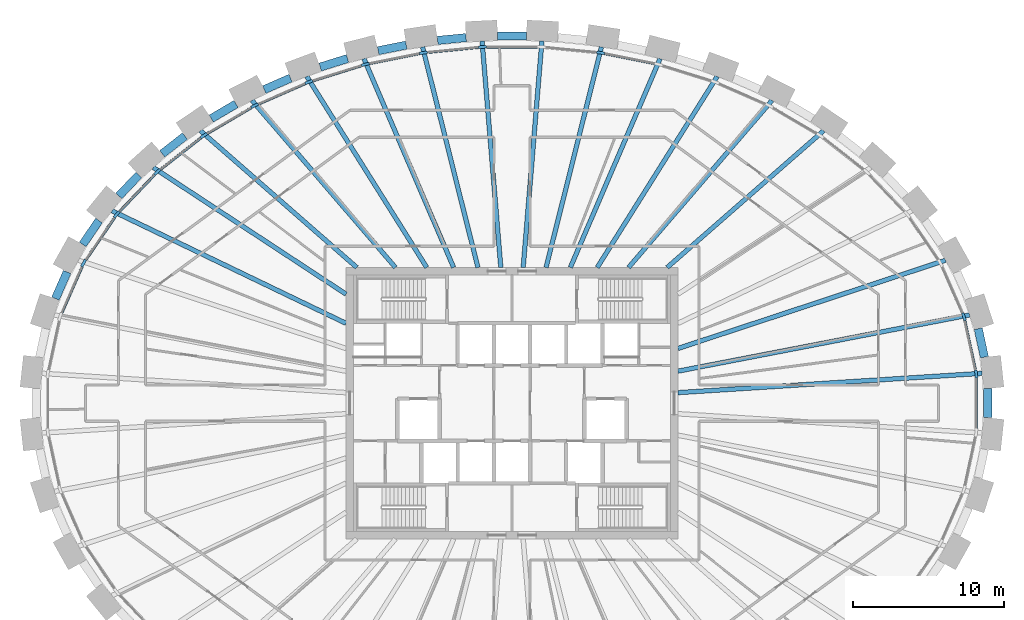
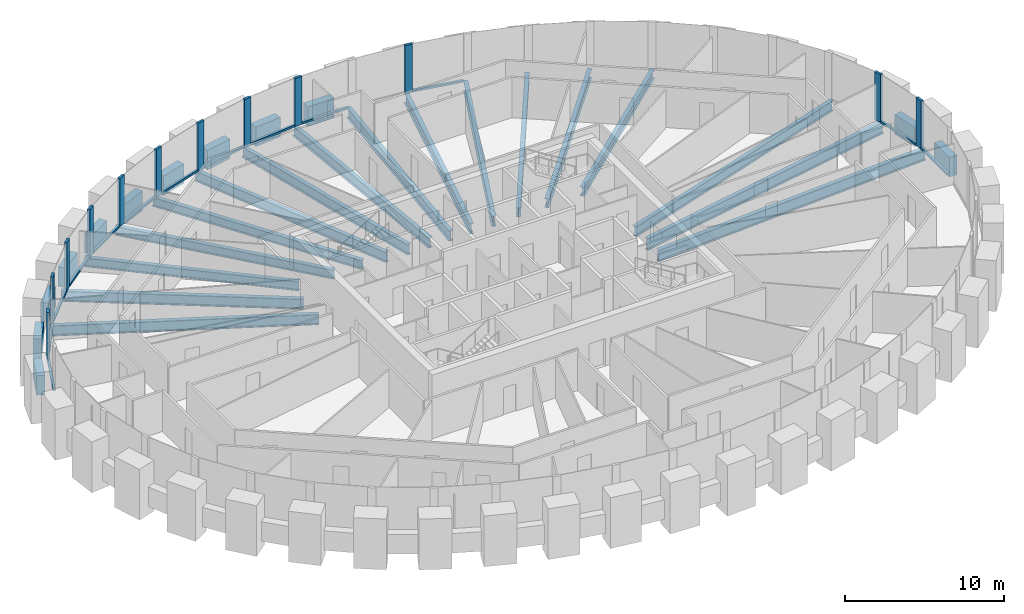
# One storey, part 3 of 12: 29 beams, 25 members, 1 element without a shape of its own.
"""IFC4 building model written with IfcOpenShell, lengths in metres."""

from ifc_helpers import new_model, si_unit, direction, frame, origin, origin_2d, place, context, subcontext, project, spatial, rectangle, i_section, extrude, source, transform, mapped, material, material_profile, profile_set, type_object, element, aggregate, save


model = new_model("IFC4")

# Units and contexts
model_context = context("Model", 3, precision=1e-05, world=origin(), true_north=direction((0.0, 1.0)))
body_context = subcontext(model_context, "Body", "Model", "MODEL_VIEW")
ifc_project = project(units=[si_unit("LENGTHUNIT", "METRE"), si_unit("AREAUNIT", "SQUARE_METRE"), si_unit("VOLUMEUNIT", "CUBIC_METRE"), si_unit("PLANEANGLEUNIT", "RADIAN"), si_unit("MASSUNIT", "GRAM", prefix="KILO")], contexts=[model_context])

# Site, building, storey
site_placement = place(None, origin())
site = spatial("IfcSite", under=ifc_project, at=site_placement, CompositionType="ELEMENT")
building_placement = place(site_placement, origin())
building = spatial("IfcBuilding", under=site, at=building_placement, Name="Embergate Tower", CompositionType="ELEMENT")
storey_placement = place(building_placement, frame((0.0, 0.0, 281.199951171875)))
storey = spatial("IfcBuildingStorey", under=building, at=storey_placement, Name="L65", CompositionType="ELEMENT", Elevation=281.199951171875)

# Beams
ifc_material_1 = material(Name="Concrete C60", Category="concrete")
ifc_material_profile_1 = material_profile(ifc_material_1, rectangle(XDim=0.550048828125, YDim=1.5, at=origin_2d()), Name="RC 550x1500")
ifc_profile_set_1 = profile_set([ifc_material_profile_1], Name="Concrete C60")
beam_type_1 = type_object("IfcBeamType", Name="Spandrel beam RC 550x1500 C60", PredefinedType="BEAM", material=ifc_profile_set_1)
shared_shape_1 = source(origin(), body_context, "Body", "SweptSolid", [
    extrude(rectangle(XDim=0.550048828125, YDim=1.5, at=origin_2d()), origin(), (0.0, 0.0, 1.0), 1.927978515625),
])
beam_1_placement = place(storey_placement, frame((31.320068359375, 3.052001953125, 0.0), z_axis=(-0.210073860291, 0.97768551857, 0.0), x_axis=(-0.97768551857, -0.210073860291, 0.0)))
element("IfcBeam", 1, at=beam_1_placement, inside=storey, type_object=beam_type_1, Name="SPN-L65-00", PredefinedType="BEAM", context=body_context, shape_type="MappedRepresentation", body=[
    mapped(shared_shape_1, transform((0.0, 0.0, 0.0))),
])
shared_shape_2 = source(origin(), body_context, "Body", "SweptSolid", [
    extrude(rectangle(XDim=0.550048828125, YDim=1.5, at=origin_2d()), origin(), (0.0, 0.0, 1.0), 1.924560546875),
])
beam_2_placement = place(storey_placement, frame((-29.4951171875, 8.697021484375, 0.0), z_axis=(-0.402156084764, -0.91557112421, 0.0), x_axis=(0.91557112421, -0.402156084764, 0.0)))
element("IfcBeam", 2, at=beam_2_placement, inside=storey, type_object=beam_type_1, Name="SPN-L65-19", PredefinedType="BEAM", context=body_context, shape_type="MappedRepresentation", body=[
    mapped(shared_shape_2, transform((0.0, 0.0, 0.0))),
])
shared_shape_3 = source(origin(), body_context, "Body", "SweptSolid", [
    extrude(rectangle(XDim=0.550048828125, YDim=1.5, at=origin_2d()), origin(), (0.0, 0.0, 1.0), 1.91455078125),
])
beam_3_placement = place(storey_placement, frame((-27.384033203125, 12.10791015625, 0.0), z_axis=(-0.562473939822, -0.826815013785, 0.0), x_axis=(0.826815013785, -0.562473939822, 0.0)))
element("IfcBeam", 3, at=beam_3_placement, inside=storey, type_object=beam_type_1, Name="SPN-L65-18", PredefinedType="BEAM", context=body_context, shape_type="MappedRepresentation", body=[
    mapped(shared_shape_3, transform((0.0, 0.0, 0.0))),
])
shared_shape_4 = source(origin(), body_context, "Body", "SweptSolid", [
    extrude(rectangle(XDim=0.550048828125, YDim=1.5, at=origin_2d()), origin(), (0.0, 0.0, 1.0), 1.913330078125),
])
beam_4_placement = place(storey_placement, frame((-24.743896484375, 15.1259765625, 0.0), z_axis=(-0.690454502374, -0.723375822206, 0.0), x_axis=(0.723375822206, -0.690454502374, 0.0)))
element("IfcBeam", 4, at=beam_4_placement, inside=storey, type_object=beam_type_1, Name="SPN-L65-17", PredefinedType="BEAM", context=body_context, shape_type="MappedRepresentation", body=[
    mapped(shared_shape_4, transform((0.0, 0.0, 0.0))),
])
shared_shape_5 = source(origin(), body_context, "Body", "SweptSolid", [
    extrude(rectangle(XDim=0.550048828125, YDim=1.5, at=origin_2d()), origin(), (0.0, 0.0, 1.0), 1.907958984375),
])
beam_5_placement = place(storey_placement, frame((-21.68408203125, 17.7099609375, 0.0), z_axis=(-0.788241602778, -0.615365887623, 0.0), x_axis=(0.615365887623, -0.788241602778, 0.0)))
element("IfcBeam", 5, at=beam_5_placement, inside=storey, type_object=beam_type_1, Name="SPN-L65-16", PredefinedType="BEAM", context=body_context, shape_type="MappedRepresentation", body=[
    mapped(shared_shape_5, transform((0.0, 0.0, 0.0))),
])
shared_shape_6 = source(origin(), body_context, "Body", "SweptSolid", [
    extrude(rectangle(XDim=0.550048828125, YDim=1.5, at=origin_2d()), origin(), (0.0, 0.0, 1.0), 1.90234375),
])
beam_6_placement = place(storey_placement, frame((-18.2958984375, 19.837890625, 0.0), z_axis=(-0.862145280572, -0.506661144343, 0.0), x_axis=(0.506661144343, -0.862145280572, 0.0)))
element("IfcBeam", 6, at=beam_6_placement, inside=storey, type_object=beam_type_1, Name="SPN-L65-15", PredefinedType="BEAM", context=body_context, shape_type="MappedRepresentation", body=[
    mapped(shared_shape_6, transform((0.0, 0.0, 0.0))),
])
shared_shape_7 = source(origin(), body_context, "Body", "SweptSolid", [
    extrude(rectangle(XDim=0.550048828125, YDim=1.5, at=origin_2d()), origin(), (0.0, 0.0, 1.0), 1.89990234375),
])
beam_7_placement = place(storey_placement, frame((-14.68408203125, 21.553955078125, 0.0), z_axis=(-0.916289991501, -0.400515482192, 0.0), x_axis=(0.400515482192, -0.916289991501, 0.0)))
element("IfcBeam", 7, at=beam_7_placement, inside=storey, type_object=beam_type_1, Name="SPN-L65-14", PredefinedType="BEAM", context=body_context, shape_type="MappedRepresentation", body=[
    mapped(shared_shape_7, transform((0.0, 0.0, 0.0))),
])
shared_shape_8 = source(origin(), body_context, "Body", "SweptSolid", [
    extrude(rectangle(XDim=0.550048828125, YDim=1.5, at=origin_2d()), origin(), (0.0, 0.0, 1.0), 1.898681640625),
])
beam_8_placement = place(storey_placement, frame((-10.904052734375, 22.85205078125, 0.0), z_axis=(-0.954868123024, -0.297030078667, 0.0), x_axis=(0.297030078667, -0.954868123024, 0.0)))
element("IfcBeam", 8, at=beam_8_placement, inside=storey, type_object=beam_type_1, Name="SPN-L65-13", PredefinedType="BEAM", context=body_context, shape_type="MappedRepresentation", body=[
    mapped(shared_shape_8, transform((0.0, 0.0, 0.0))),
])
shared_shape_9 = source(origin(), body_context, "Body", "SweptSolid", [
    extrude(rectangle(XDim=0.550048828125, YDim=1.5, at=origin_2d()), origin(), (0.0, 0.0, 1.0), 1.895751953125),
])
beam_9_placement = place(storey_placement, frame((-7.010009765625, 23.743896484375, 0.0), z_axis=(-0.980575722075, -0.196140901592, 0.0), x_axis=(0.196140901592, -0.980575722075, 0.0)))
element("IfcBeam", 9, at=beam_9_placement, inside=storey, type_object=beam_type_1, Name="SPN-L65-12", PredefinedType="BEAM", context=body_context, shape_type="MappedRepresentation", body=[
    mapped(shared_shape_9, transform((0.0, 0.0, 0.0))),
])
shared_shape_10 = source(origin(), body_context, "Body", "SweptSolid", [
    extrude(rectangle(XDim=0.550048828125, YDim=1.5, at=origin_2d()), origin(), (0.0, 0.0, 1.0), 1.896240234375),
])
beam_10_placement = place(storey_placement, frame((-3.0458984375, 24.239990234375, 0.0), z_axis=(-0.995176416472, -0.098101478571, 0.0), x_axis=(0.098101478571, -0.995176416472, 0.0)))
element("IfcBeam", 10, at=beam_10_placement, inside=storey, type_object=beam_type_1, Name="SPN-L65-11", PredefinedType="BEAM", context=body_context, shape_type="MappedRepresentation", body=[
    mapped(shared_shape_10, transform((0.0, 0.0, 0.0))),
])
shared_shape_11 = source(origin(), body_context, "Body", "SweptSolid", [
    extrude(rectangle(XDim=0.550048828125, YDim=1.5, at=origin_2d()), origin(), (0.0, 0.0, 1.0), 1.89599609375),
])
beam_11_placement = place(storey_placement, frame((0.947998046875, 24.343017578125, 0.0), z_axis=(-1.0, 0.0, 0.0), x_axis=(0.0, -1.0, 0.0)))
element("IfcBeam", 11, at=beam_11_placement, inside=storey, type_object=beam_type_1, Name="SPN-L65-10", PredefinedType="BEAM", context=body_context, shape_type="MappedRepresentation", body=[
    mapped(shared_shape_11, transform((0.0, 0.0, 0.0))),
])
shared_shape_12 = source(origin(), body_context, "Body", "SweptSolid", [
    extrude(rectangle(XDim=0.550048828125, YDim=1.5, at=origin_2d()), origin(), (0.0, 0.0, 1.0), 1.92822265625),
])
beam_12_placement = place(storey_placement, frame((31.5419921875, -0.964111328125, 0.0), z_axis=(0.0, 1.0, 0.0), x_axis=(-1.0, 0.0, 0.0)))
element("IfcBeam", 12, at=beam_12_placement, inside=storey, type_object=beam_type_1, Name="SPN-L65-43", PredefinedType="BEAM", context=body_context, shape_type="MappedRepresentation", body=[
    mapped(shared_shape_12, transform((0.0, 0.0, 0.0))),
])
ifc_material_2 = material(Name="Steel Q355B", Category="steel")
ifc_material_profile_2 = material_profile(ifc_material_2, i_section(OverallWidth=0.300048828125, OverallDepth=0.89990234375, WebThickness=0.01611328125, FlangeThickness=0.028076171875, FilletRadius=0.028076171875, at=origin_2d()), Name="HN 900x300x16x28")
ifc_profile_set_2 = profile_set([ifc_material_profile_2], Name="Steel Q355 grade B")
beam_type_2 = type_object("IfcBeamType", Name="Radial girder HN 900x300x16x28", PredefinedType="BEAM", material=ifc_profile_set_2)
shared_shape_13 = source(origin(), body_context, "Body", "SweptSolid", [
    extrude(i_section(OverallWidth=0.300048828125, OverallDepth=0.89990234375, WebThickness=0.01611328125, FlangeThickness=0.028076171875, FilletRadius=0.028076171875, at=origin_2d()), origin(), (0.0, 0.0, 1.0), 20.20751953125),
])
beam_13_placement = place(storey_placement, frame((31.1669921875, 1.97998046875, -0.64990234375), z_axis=(-0.997988693818, -0.063392168375, 0.0), x_axis=(0.063392168375, -0.997988693818, 0.0)))
element("IfcBeam", 13, at=beam_13_placement, inside=storey, type_object=beam_type_2, Name="GIR-L65-00", PredefinedType="BEAM", context=body_context, shape_type="MappedRepresentation", body=[
    mapped(shared_shape_13, transform((0.0, 0.0, 0.0))),
])
shared_shape_14 = source(origin(), body_context, "Body", "SweptSolid", [
    extrude(i_section(OverallWidth=0.300048828125, OverallDepth=0.89990234375, WebThickness=0.01611328125, FlangeThickness=0.028076171875, FilletRadius=0.028076171875, at=origin_2d()), origin(), (0.0, 0.0, 1.0), 19.6904296875),
])
beam_14_placement = place(storey_placement, frame((30.333984375, 5.85205078125, -0.64990234375), z_axis=(-0.981894135389, -0.189430480358, 0.0), x_axis=(0.189430480358, -0.981894135389, 0.0)))
element("IfcBeam", 14, at=beam_14_placement, inside=storey, type_object=beam_type_2, Name="GIR-L65-01", PredefinedType="BEAM", context=body_context, shape_type="MappedRepresentation", body=[
    mapped(shared_shape_14, transform((0.0, 0.0, 0.0))),
])
ifc_material_profile_3 = material_profile(ifc_material_2, i_section(OverallWidth=0.300048828125, OverallDepth=0.800048828125, WebThickness=0.013916015625, FlangeThickness=0.02587890625, FilletRadius=0.028076171875, at=origin_2d()), Name="HN 800x300x14x26")
ifc_profile_set_3 = profile_set([ifc_material_profile_3], Name="Steel Q355 grade B")
beam_type_3 = type_object("IfcBeamType", Name="Radial girder HN 800x300x14x26", PredefinedType="BEAM", material=ifc_profile_set_3)
shared_shape_15 = source(origin(), body_context, "Body", "SweptSolid", [
    extrude(i_section(OverallWidth=0.300048828125, OverallDepth=0.800048828125, WebThickness=0.013916015625, FlangeThickness=0.02587890625, FilletRadius=0.028076171875, at=origin_2d()), origin(), (0.0, 0.0, 1.0), 18.681884765625),
])
beam_15_placement = place(storey_placement, frame((28.741943359375, 9.47900390625, -0.599853515625), z_axis=(-0.949688639477, -0.313195606689, 0.0), x_axis=(0.313195606689, -0.949688639477, 0.0)))
element("IfcBeam", 15, at=beam_15_placement, inside=storey, type_object=beam_type_3, Name="GIR-L65-02", PredefinedType="BEAM", context=body_context, shape_type="MappedRepresentation", body=[
    mapped(shared_shape_15, transform((0.0, 0.0, 0.0))),
])
shared_shape_16 = source(origin(), body_context, "Body", "SweptSolid", [
    extrude(i_section(OverallWidth=0.300048828125, OverallDepth=0.800048828125, WebThickness=0.013916015625, FlangeThickness=0.02587890625, FilletRadius=0.028076171875, at=origin_2d()), origin(), (0.0, 0.0, 1.0), 17.216552734375),
])
beam_16_placement = place(storey_placement, frame((-26.514892578125, 12.7548828125, -0.599853515625), z_axis=(0.90116604055, -0.433474067689, 0.0), x_axis=(0.433474067689, 0.90116604055, 0.0)))
element("IfcBeam", 16, at=beam_16_placement, inside=storey, type_object=beam_type_3, Name="GIR-L65-18", PredefinedType="BEAM", context=body_context, shape_type="MappedRepresentation", body=[
    mapped(shared_shape_16, transform((0.0, 0.0, 0.0))),
])
shared_shape_17 = source(origin(), body_context, "Body", "SweptSolid", [
    extrude(i_section(OverallWidth=0.300048828125, OverallDepth=0.800048828125, WebThickness=0.013916015625, FlangeThickness=0.02587890625, FilletRadius=0.028076171875, at=origin_2d()), origin(), (0.0, 0.0, 1.0), 15.29052734375),
])
beam_17_placement = place(storey_placement, frame((-23.779052734375, 15.623046875, -0.599853515625), z_axis=(0.835755516173, -0.549101736645, 0.0), x_axis=(0.549101736645, 0.835755516173, 0.0)))
element("IfcBeam", 17, at=beam_17_placement, inside=storey, type_object=beam_type_3, Name="GIR-L65-17", PredefinedType="BEAM", context=body_context, shape_type="MappedRepresentation", body=[
    mapped(shared_shape_17, transform((0.0, 0.0, 0.0))),
])
ifc_material_profile_4 = material_profile(ifc_material_2, i_section(OverallWidth=0.300048828125, OverallDepth=0.699951171875, WebThickness=0.012939453125, FlangeThickness=0.02392578125, FilletRadius=0.01806640625, at=origin_2d()), Name="HN 700x300x13x24")
ifc_profile_set_4 = profile_set([ifc_material_profile_4], Name="Steel Q355 grade B")
beam_type_4 = type_object("IfcBeamType", Name="Radial girder HN 700x300x13x24", PredefinedType="BEAM", material=ifc_profile_set_4)
shared_shape_18 = source(origin(), body_context, "Body", "SweptSolid", [
    extrude(i_section(OverallWidth=0.300048828125, OverallDepth=0.699951171875, WebThickness=0.012939453125, FlangeThickness=0.02392578125, FilletRadius=0.01806640625, at=origin_2d()), origin(), (0.0, 0.0, 1.0), 13.767822265625),
])
for number, where, z_axis, x_axis, name in (
    (18, (20.655029296875, 18.06298828125, -0.550048828125), (-0.752775487565, -0.658277346809, 0.0), (0.658277346809, -0.752775487565, 0.0), "GIR-L65-05"),
    (19, (-20.655029296875, 18.06298828125, -0.550048828125), (0.752775487565, -0.658277346809, 0.0), (0.658277346809, 0.752775487565, 0.0), "GIR-L65-16"),
):
    element("IfcBeam", number, at=place(storey_placement, frame(where, z_axis=z_axis, x_axis=x_axis)), inside=storey, type_object=beam_type_4, Name=name, PredefinedType="BEAM", context=body_context, shape_type="MappedRepresentation", body=[
        mapped(shared_shape_18, transform((0.0, 0.0, 0.0))),
    ])
shared_shape_19 = source(origin(), body_context, "Body", "SweptSolid", [
    extrude(i_section(OverallWidth=0.300048828125, OverallDepth=0.699951171875, WebThickness=0.012939453125, FlangeThickness=0.02392578125, FilletRadius=0.01806640625, at=origin_2d()), origin(), (0.0, 0.0, 1.0), 14.59423828125),
])
for number, where, z_axis, x_axis, name in (
    (20, (17.237060546875, 20.072021484375, -0.550048828125), (-0.651492316214, -0.758655232575, 0.0), (0.758655232575, -0.651492316214, 0.0), "GIR-L65-06"),
    (21, (-17.237060546875, 20.072021484375, -0.550048828125), (0.651492316214, -0.758655232575, 0.0), (0.758655232575, 0.651492316214, 0.0), "GIR-L65-15"),
):
    element("IfcBeam", number, at=place(storey_placement, frame(where, z_axis=z_axis, x_axis=x_axis)), inside=storey, type_object=beam_type_4, Name=name, PredefinedType="BEAM", context=body_context, shape_type="MappedRepresentation", body=[
        mapped(shared_shape_19, transform((0.0, 0.0, 0.0))),
    ])
shared_shape_20 = source(origin(), body_context, "Body", "SweptSolid", [
    extrude(i_section(OverallWidth=0.300048828125, OverallDepth=0.699951171875, WebThickness=0.012939453125, FlangeThickness=0.02392578125, FilletRadius=0.01806640625, at=origin_2d()), origin(), (0.0, 0.0, 1.0), 14.94970703125),
])
for number, where, z_axis, x_axis, name in (
    (22, (13.60400390625, 21.659912109375, -0.550048828125), (-0.531848758453, -0.846839357926, 0.0), (0.846839357926, -0.531848758453, 0.0), "GIR-L65-07"),
    (23, (-13.60400390625, 21.659912109375, -0.550048828125), (0.531848758453, -0.846839357926, 0.0), (0.846839357926, 0.531848758453, 0.0), "GIR-L65-14"),
):
    element("IfcBeam", number, at=place(storey_placement, frame(where, z_axis=z_axis, x_axis=x_axis)), inside=storey, type_object=beam_type_4, Name=name, PredefinedType="BEAM", context=body_context, shape_type="MappedRepresentation", body=[
        mapped(shared_shape_20, transform((0.0, 0.0, 0.0))),
    ])
shared_shape_21 = source(origin(), body_context, "Body", "SweptSolid", [
    extrude(i_section(OverallWidth=0.300048828125, OverallDepth=0.800048828125, WebThickness=0.013916015625, FlangeThickness=0.02587890625, FilletRadius=0.028076171875, at=origin_2d()), origin(), (0.0, 0.0, 1.0), 15.064453125),
])
for number, where, z_axis, x_axis, name in (
    (24, (9.818115234375, 22.840087890625, -0.599853515625), (-0.394914636063, -0.918717818605, 0.0), (0.918717818605, -0.394914636063, 0.0), "GIR-L65-08"),
    (25, (-9.818115234375, 22.840087890625, -0.599853515625), (0.394914636063, -0.918717818605, 0.0), (0.918717818605, 0.394914636063, 0.0), "GIR-L65-13"),
):
    element("IfcBeam", number, at=place(storey_placement, frame(where, z_axis=z_axis, x_axis=x_axis)), inside=storey, type_object=beam_type_3, Name=name, PredefinedType="BEAM", context=body_context, shape_type="MappedRepresentation", body=[
        mapped(shared_shape_21, transform((0.0, 0.0, 0.0))),
    ])
shared_shape_22 = source(origin(), body_context, "Body", "SweptSolid", [
    extrude(i_section(OverallWidth=0.300048828125, OverallDepth=0.800048828125, WebThickness=0.013916015625, FlangeThickness=0.02587890625, FilletRadius=0.028076171875, at=origin_2d()), origin(), (0.0, 0.0, 1.0), 15.072509765625),
])
for number, where, z_axis, x_axis, name in (
    (26, (5.929931640625, 23.618896484375, -0.599853515625), (-0.243484506306, -0.969904786662, 0.0), (0.969904786662, -0.243484506306, 0.0), "GIR-L65-09"),
    (27, (-5.929931640625, 23.618896484375, -0.599853515625), (0.243484506306, -0.969904786662, 0.0), (0.969904786662, 0.243484506306, 0.0), "GIR-L65-12"),
):
    element("IfcBeam", number, at=place(storey_placement, frame(where, z_axis=z_axis, x_axis=x_axis)), inside=storey, type_object=beam_type_3, Name=name, PredefinedType="BEAM", context=body_context, shape_type="MappedRepresentation", body=[
        mapped(shared_shape_22, transform((0.0, 0.0, 0.0))),
    ])
shared_shape_23 = source(origin(), body_context, "Body", "SweptSolid", [
    extrude(i_section(OverallWidth=0.300048828125, OverallDepth=0.800048828125, WebThickness=0.013916015625, FlangeThickness=0.02587890625, FilletRadius=0.028076171875, at=origin_2d()), origin(), (0.0, 0.0, 1.0), 15.05908203125),
])
for number, where, z_axis, x_axis, name in (
    (28, (1.98291015625, 24.008056640625, -0.599853515625), (-0.082341072881, -0.996604208157, 0.0), (0.996604208157, -0.082341072881, 0.0), "GIR-L65-10"),
    (29, (-1.98291015625, 24.008056640625, -0.599853515625), (0.082341072881, -0.996604208157, 0.0), (0.996604208157, 0.082341072881, 0.0), "GIR-L65-11"),
):
    element("IfcBeam", number, at=place(storey_placement, frame(where, z_axis=z_axis, x_axis=x_axis)), inside=storey, type_object=beam_type_3, Name=name, PredefinedType="BEAM", context=body_context, shape_type="MappedRepresentation", body=[
        mapped(shared_shape_23, transform((0.0, 0.0, 0.0))),
    ])

# Curtain wall, members
ifc_material_3 = material(Name="Aluminium and glass", Category="aluminium")
curtain_wall_type = type_object("IfcCurtainWallType", Name="Recessed office glazing", PredefinedType="NOTDEFINED", material=ifc_material_3)
curtain_wall_placement = place(storey_placement, origin())
curtain_wall = element("IfcCurtainWall", 30, at=curtain_wall_placement, inside=storey, type_object=curtain_wall_type, Name="Recessed office glazing ring", ObjectType="RECESSED OFFICE GLAZING", PredefinedType="USERDEFINED")
ifc_material_4 = material(Name="Aluminium, thermally broken", Category="aluminium")
ifc_material_profile_5 = material_profile(ifc_material_4, rectangle(XDim=0.179931640625, YDim=0.52001953125, at=origin_2d()), Name="AL 520x180")
ifc_profile_set_5 = profile_set([ifc_material_profile_5], Name="Aluminium, thermally broken")
member_type_1 = type_object("IfcMemberType", Name="Office mullion", PredefinedType="MULLION", material=ifc_profile_set_5)
shared_shape_24 = source(origin(), body_context, "Body", "SweptSolid", [
    extrude(rectangle(XDim=0.179931640625, YDim=0.52001953125, at=origin_2d()), origin(), (0.0, 0.0, 1.0), 3.699951171875),
])
member_1_placement = place(storey_placement, frame((30.779052734375, 1.938232421875, 0.0), z_axis=(0.0, 0.0, 1.0), x_axis=(-0.994384215926, -0.105830199459, 0.0)))
member_1 = element("IfcMember", 31, at=member_1_placement, type_object=member_type_1, Name="CW mullion 1", PredefinedType="MULLION", context=body_context, shape_type="MappedRepresentation", body=[
    mapped(shared_shape_24, transform((0.0, 0.0, 0.0))),
])
member_2_placement = place(storey_placement, frame((29.962890625, 5.73046875, 0.0), z_axis=(0.0, 0.0, 1.0), x_axis=(-0.951492965233, -0.307670500881, 0.0)))
member_2 = element("IfcMember", 32, at=member_2_placement, type_object=member_type_1, Name="CW mullion 2", PredefinedType="MULLION", context=body_context, shape_type="MappedRepresentation", body=[
    mapped(shared_shape_24, transform((0.0, 0.0, 0.0))),
])
member_3_placement = place(storey_placement, frame((5.872314453125, 23.23388671875, 0.0), z_axis=(0.0, 0.0, 1.0), x_axis=(-0.147408930294, -0.989075632735, 0.0)))
member_3 = element("IfcMember", 33, at=member_3_placement, type_object=member_type_1, Name="CW mullion 10", PredefinedType="MULLION", context=body_context, shape_type="MappedRepresentation", body=[
    mapped(shared_shape_24, transform((0.0, 0.0, 0.0))),
])
member_4_placement = place(storey_placement, frame((-1.9638671875, 23.6181640625, 0.0), z_axis=(0.0, 0.0, 1.0), x_axis=(0.048970053385, -0.998800247232, 0.0)))
member_4 = element("IfcMember", 34, at=member_4_placement, type_object=member_type_1, Name="CW mullion 12", PredefinedType="MULLION", context=body_context, shape_type="MappedRepresentation", body=[
    mapped(shared_shape_24, transform((0.0, 0.0, 0.0))),
])
member_5_placement = place(storey_placement, frame((-5.872314453125, 23.23388671875, 0.0), z_axis=(0.0, 0.0, 1.0), x_axis=(0.147408930294, -0.989075632735, 0.0)))
member_5 = element("IfcMember", 35, at=member_5_placement, type_object=member_type_1, Name="CW mullion 13", PredefinedType="MULLION", context=body_context, shape_type="MappedRepresentation", body=[
    mapped(shared_shape_24, transform((0.0, 0.0, 0.0))),
])
member_6_placement = place(storey_placement, frame((-9.7216796875, 22.4619140625, 0.0), z_axis=(0.0, 0.0, 1.0), x_axis=(0.247308499144, -0.96893679167, 0.0)))
member_6 = element("IfcMember", 36, at=member_6_placement, type_object=member_type_1, Name="CW mullion 14", PredefinedType="MULLION", context=body_context, shape_type="MappedRepresentation", body=[
    mapped(shared_shape_24, transform((0.0, 0.0, 0.0))),
])
member_7_placement = place(storey_placement, frame((-13.468017578125, 21.295166015625, 0.0), z_axis=(0.0, 0.0, 1.0), x_axis=(0.349497777064, -0.936937193107, 0.0)))
member_7 = element("IfcMember", 37, at=member_7_placement, type_object=member_type_1, Name="CW mullion 15", PredefinedType="MULLION", context=body_context, shape_type="MappedRepresentation", body=[
    mapped(shared_shape_24, transform((0.0, 0.0, 0.0))),
])
member_8_placement = place(storey_placement, frame((-17.06005859375, 19.724365234375, 0.0), z_axis=(0.0, 0.0, 1.0), x_axis=(0.454503607328, -0.89074489666, 0.0)))
member_8 = element("IfcMember", 38, at=member_8_placement, type_object=member_type_1, Name="CW mullion 16", PredefinedType="MULLION", context=body_context, shape_type="MappedRepresentation", body=[
    mapped(shared_shape_24, transform((0.0, 0.0, 0.0))),
])
member_9_placement = place(storey_placement, frame((-20.43603515625, 17.73974609375, 0.0), z_axis=(0.0, 0.0, 1.0), x_axis=(0.562207514921, -0.82699619719, 0.0)))
member_9 = element("IfcMember", 39, at=member_9_placement, type_object=member_type_1, Name="CW mullion 17", PredefinedType="MULLION", context=body_context, shape_type="MappedRepresentation", body=[
    mapped(shared_shape_24, transform((0.0, 0.0, 0.0))),
])
member_10_placement = place(storey_placement, frame((-23.5185546875, 15.333740234375, 0.0), z_axis=(0.0, 0.0, 1.0), x_axis=(0.671216184057, -0.741261650337, 0.0)))
member_10 = element("IfcMember", 40, at=member_10_placement, type_object=member_type_1, Name="CW mullion 18", PredefinedType="MULLION", context=body_context, shape_type="MappedRepresentation", body=[
    mapped(shared_shape_24, transform((0.0, 0.0, 0.0))),
])
member_11_placement = place(storey_placement, frame((-26.212158203125, 12.509521484375, 0.0), z_axis=(0.0, 0.0, 1.0), x_axis=(0.777861596203, -0.628435626897, 0.0)))
member_11 = element("IfcMember", 41, at=member_11_placement, type_object=member_type_1, Name="CW mullion 19", PredefinedType="MULLION", context=body_context, shape_type="MappedRepresentation", body=[
    mapped(shared_shape_24, transform((0.0, 0.0, 0.0))),
])
member_12_placement = place(storey_placement, frame((-28.402099609375, 9.2890625, 0.0), z_axis=(0.0, 0.0, 1.0), x_axis=(0.874992601244, -0.484136290489, 0.0)))
member_12 = element("IfcMember", 42, at=member_12_placement, type_object=member_type_1, Name="CW mullion 20", PredefinedType="MULLION", context=body_context, shape_type="MappedRepresentation", body=[
    mapped(shared_shape_24, transform((0.0, 0.0, 0.0))),
])
ifc_material_profile_6 = material_profile(ifc_material_4, rectangle(XDim=0.179931640625, YDim=0.14990234375, at=origin_2d()), Name="AL 150x180")
ifc_profile_set_6 = profile_set([ifc_material_profile_6], Name="Aluminium, thermally broken")
member_type_2 = type_object("IfcMemberType", Name="Office sill transom", PredefinedType="USERDEFINED", material=ifc_profile_set_6)
shared_shape_25 = source(origin(), body_context, "Body", "SweptSolid", [
    extrude(rectangle(XDim=0.179931640625, YDim=0.14990234375, at=origin_2d()), origin(), (0.0, 0.0, 1.0), 3.359130859375),
])
member_13_placement = place(storey_placement, frame((30.724365234375, 2.1923828125, 0.074951171875), z_axis=(-0.210407541396, 0.977613761423, 0.0), x_axis=(-0.977613761423, -0.210407541396, 0.0)))
member_13 = element("IfcMember", 43, at=member_13_placement, type_object=member_type_2, Name="CW transom 1.1", ObjectType="TRANSOM", PredefinedType="USERDEFINED", context=body_context, shape_type="MappedRepresentation", body=[
    mapped(shared_shape_25, transform((0.0, 0.0, 0.0))),
])
shared_shape_26 = source(origin(), body_context, "Body", "SweptSolid", [
    extrude(rectangle(XDim=0.179931640625, YDim=0.14990234375, at=origin_2d()), origin(), (0.0, 0.0, 1.0), 3.365966796875),
])
member_14_placement = place(storey_placement, frame((-28.506591796875, 9.051025390625, 0.074951171875), z_axis=(-0.401617738642, -0.91580739897, 0.0), x_axis=(0.91580739897, -0.401617738642, 0.0)))
member_14 = element("IfcMember", 44, at=member_14_placement, type_object=member_type_2, Name="CW transom 20.1", ObjectType="TRANSOM", PredefinedType="USERDEFINED", context=body_context, shape_type="MappedRepresentation", body=[
    mapped(shared_shape_26, transform((0.0, 0.0, 0.0))),
])
shared_shape_27 = source(origin(), body_context, "Body", "SweptSolid", [
    extrude(rectangle(XDim=0.179931640625, YDim=0.14990234375, at=origin_2d()), origin(), (0.0, 0.0, 1.0), 3.37451171875),
])
member_15_placement = place(storey_placement, frame((-26.3583984375, 12.29443359375, 0.074951171875), z_axis=(-0.562373345437, -0.826883438183, 0.0), x_axis=(0.826883438183, -0.562373345437, 0.0)))
member_15 = element("IfcMember", 45, at=member_15_placement, type_object=member_type_2, Name="CW transom 19.1", ObjectType="TRANSOM", PredefinedType="USERDEFINED", context=body_context, shape_type="MappedRepresentation", body=[
    mapped(shared_shape_27, transform((0.0, 0.0, 0.0))),
])
shared_shape_28 = source(origin(), body_context, "Body", "SweptSolid", [
    extrude(rectangle(XDim=0.179931640625, YDim=0.14990234375, at=origin_2d()), origin(), (0.0, 0.0, 1.0), 3.383056640625),
])
member_16_placement = place(storey_placement, frame((-23.697998046875, 15.145751953125, 0.074951171875), z_axis=(-0.690128955737, -0.723686413064, 0.0), x_axis=(0.723686413064, -0.690128955737, 0.0)))
member_16 = element("IfcMember", 46, at=member_16_placement, type_object=member_type_2, Name="CW transom 18.1", ObjectType="TRANSOM", PredefinedType="USERDEFINED", context=body_context, shape_type="MappedRepresentation", body=[
    mapped(shared_shape_28, transform((0.0, 0.0, 0.0))),
])
shared_shape_29 = source(origin(), body_context, "Body", "SweptSolid", [
    extrude(rectangle(XDim=0.179931640625, YDim=0.14990234375, at=origin_2d()), origin(), (0.0, 0.0, 1.0), 3.39013671875),
])
member_17_placement = place(storey_placement, frame((-20.64111328125, 17.57958984375, 0.074951171875), z_axis=(-0.788350711598, -0.61522610114, 0.0), x_axis=(0.61522610114, -0.788350711598, 0.0)))
member_17 = element("IfcMember", 47, at=member_17_placement, type_object=member_type_2, Name="CW transom 17.1", ObjectType="TRANSOM", PredefinedType="USERDEFINED", context=body_context, shape_type="MappedRepresentation", body=[
    mapped(shared_shape_29, transform((0.0, 0.0, 0.0))),
])
shared_shape_30 = source(origin(), body_context, "Body", "SweptSolid", [
    extrude(rectangle(XDim=0.179931640625, YDim=0.14990234375, at=origin_2d()), origin(), (0.0, 0.0, 1.0), 3.396240234375),
])
member_18_placement = place(storey_placement, frame((-17.2841796875, 19.5927734375, 0.074951171875), z_axis=(-0.86206354594, -0.50680020004, 0.0), x_axis=(0.50680020004, -0.86206354594, 0.0)))
member_18 = element("IfcMember", 48, at=member_18_placement, type_object=member_type_2, Name="CW transom 16.1", ObjectType="TRANSOM", PredefinedType="USERDEFINED", context=body_context, shape_type="MappedRepresentation", body=[
    mapped(shared_shape_30, transform((0.0, 0.0, 0.0))),
])
shared_shape_31 = source(origin(), body_context, "Body", "SweptSolid", [
    extrude(rectangle(XDim=0.179931640625, YDim=0.14990234375, at=origin_2d()), origin(), (0.0, 0.0, 1.0), 3.400634765625),
])
member_19_placement = place(storey_placement, frame((-13.706298828125, 21.19091796875, 0.074951171875), z_axis=(-0.916246290904, -0.400615444542, 0.0), x_axis=(0.400615444542, -0.916246290904, 0.0)))
member_19 = element("IfcMember", 49, at=member_19_placement, type_object=member_type_2, Name="CW transom 15.1", ObjectType="TRANSOM", PredefinedType="USERDEFINED", context=body_context, shape_type="MappedRepresentation", body=[
    mapped(shared_shape_31, transform((0.0, 0.0, 0.0))),
])
shared_shape_32 = source(origin(), body_context, "Body", "SweptSolid", [
    extrude(rectangle(XDim=0.179931640625, YDim=0.14990234375, at=origin_2d()), origin(), (0.0, 0.0, 1.0), 3.40380859375),
])
member_20_placement = place(storey_placement, frame((-9.9697265625, 22.384521484375, 0.074951171875), z_axis=(-0.954785768132, -0.297294697183, 0.0), x_axis=(0.297294697183, -0.954785768132, 0.0)))
member_20 = element("IfcMember", 50, at=member_20_placement, type_object=member_type_2, Name="CW transom 14.1", ObjectType="TRANSOM", PredefinedType="USERDEFINED", context=body_context, shape_type="MappedRepresentation", body=[
    mapped(shared_shape_32, transform((0.0, 0.0, 0.0))),
])
shared_shape_33 = source(origin(), body_context, "Body", "SweptSolid", [
    extrude(rectangle(XDim=0.179931640625, YDim=0.14990234375, at=origin_2d()), origin(), (0.0, 0.0, 1.0), 3.406005859375),
])
member_21_placement = place(storey_placement, frame((9.466796875, 22.512939453125, 0.074951171875), z_axis=(-0.980481303877, 0.196612341292, 0.0), x_axis=(-0.196612341292, -0.980481303877, 0.0)))
member_21 = element("IfcMember", 51, at=member_21_placement, type_object=member_type_2, Name="CW transom 9.1", ObjectType="TRANSOM", PredefinedType="USERDEFINED", context=body_context, shape_type="MappedRepresentation", body=[
    mapped(shared_shape_33, transform((0.0, 0.0, 0.0))),
])
member_22_placement = place(storey_placement, frame((-6.127197265625, 23.1826171875, 0.074951171875), z_axis=(-0.980481303877, -0.196612341292, 0.0), x_axis=(0.196612341292, -0.980481303877, 0.0)))
member_22 = element("IfcMember", 52, at=member_22_placement, type_object=member_type_2, Name="CW transom 13.1", ObjectType="TRANSOM", PredefinedType="USERDEFINED", context=body_context, shape_type="MappedRepresentation", body=[
    mapped(shared_shape_33, transform((0.0, 0.0, 0.0))),
])
shared_shape_34 = source(origin(), body_context, "Body", "SweptSolid", [
    extrude(rectangle(XDim=0.179931640625, YDim=0.14990234375, at=origin_2d()), origin(), (0.0, 0.0, 1.0), 3.4072265625),
])
member_23_placement = place(storey_placement, frame((-2.22265625, 23.592529296875, 0.074951171875), z_axis=(-0.995205303523, -0.097807994766, 0.0), x_axis=(0.097807994766, -0.995205303523, 0.0)))
member_23 = element("IfcMember", 53, at=member_23_placement, type_object=member_type_2, Name="CW transom 12.1", ObjectType="TRANSOM", PredefinedType="USERDEFINED", context=body_context, shape_type="MappedRepresentation", body=[
    mapped(shared_shape_34, transform((0.0, 0.0, 0.0))),
])
shared_shape_35 = source(origin(), body_context, "Body", "SweptSolid", [
    extrude(rectangle(XDim=0.179931640625, YDim=0.14990234375, at=origin_2d()), origin(), (0.0, 0.0, 1.0), 3.40771484375),
])
member_24_placement = place(storey_placement, frame((1.703857421875, 23.6181640625, 0.074951171875), z_axis=(-1.0, 0.0, 0.0), x_axis=(0.0, -1.0, 0.0)))
member_24 = element("IfcMember", 54, at=member_24_placement, type_object=member_type_2, Name="CW transom 11.1", ObjectType="TRANSOM", PredefinedType="USERDEFINED", context=body_context, shape_type="MappedRepresentation", body=[
    mapped(shared_shape_35, transform((0.0, 0.0, 0.0))),
])
shared_shape_36 = source(origin(), body_context, "Body", "SweptSolid", [
    extrude(rectangle(XDim=0.179931640625, YDim=0.14990234375, at=origin_2d()), origin(), (0.0, 0.0, 1.0), 3.3564453125),
])
member_25_placement = place(storey_placement, frame((30.779052734375, -1.67822265625, 0.074951171875), z_axis=(0.0, 1.0, 0.0), x_axis=(-1.0, 0.0, 0.0)))
member_25 = element("IfcMember", 55, at=member_25_placement, type_object=member_type_2, Name="CW transom 44.1", ObjectType="TRANSOM", PredefinedType="USERDEFINED", context=body_context, shape_type="MappedRepresentation", body=[
    mapped(shared_shape_36, transform((0.0, 0.0, 0.0))),
])
aggregate(curtain_wall, [member_1, member_2, member_3, member_4, member_5, member_6, member_7, member_8, member_9, member_10, member_11, member_12, member_13, member_21, member_24, member_23, member_22, member_20, member_19, member_18, member_17, member_16, member_15, member_14, member_25])

save(model, "model.ifc")
